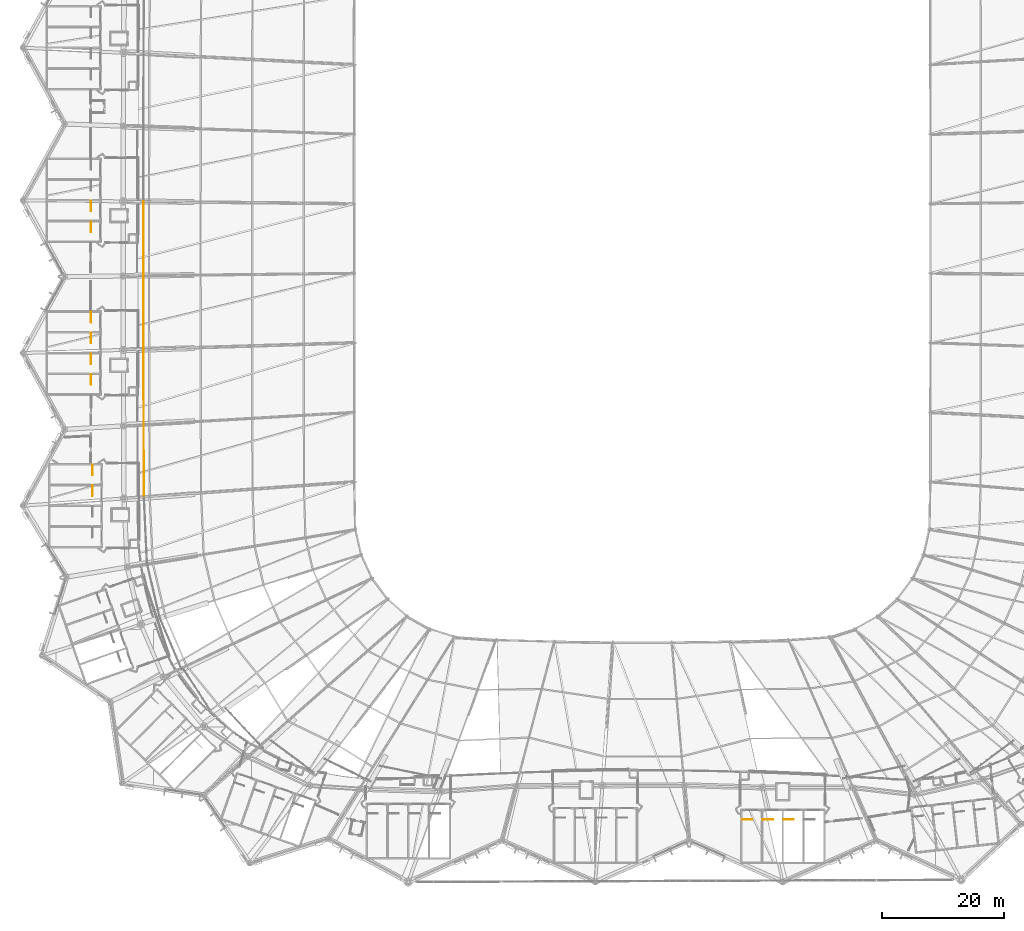
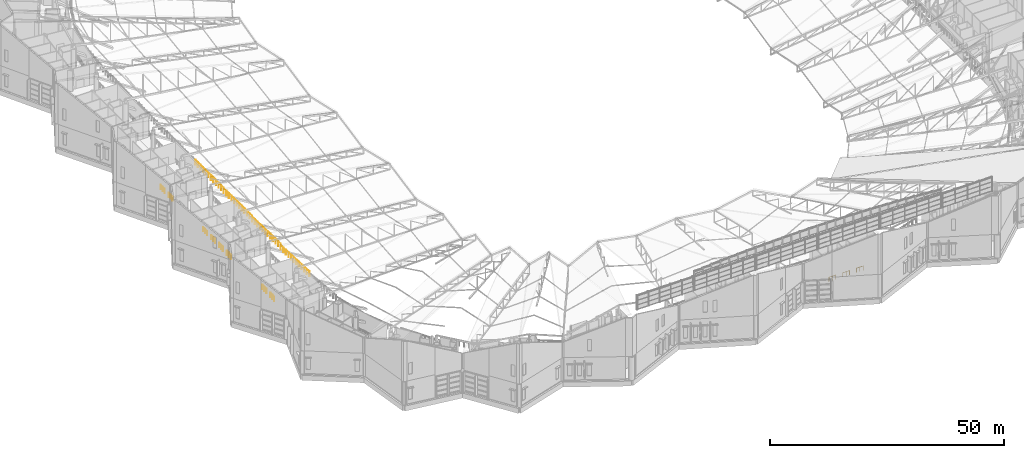
# One storey, part 339 of 344: 15 railings.
"""IFC4 building model written with IfcOpenShell, lengths in metres."""

from ifc_helpers import new_model, si_unit, direction, frame, origin, origin_2d, place, context, subcontext, project, spatial, circle, extrude, material, type_object, element, save


model = new_model("IFC4")

# Units and contexts
model_context = context("Model", 3, precision=1e-05, world=origin(), true_north=direction((0.0, 1.0)))
body_context = subcontext(model_context, "Body", "Model", "MODEL_VIEW")
ifc_project = project(units=[si_unit("LENGTHUNIT", "METRE"), si_unit("AREAUNIT", "SQUARE_METRE"), si_unit("VOLUMEUNIT", "CUBIC_METRE"), si_unit("PLANEANGLEUNIT", "RADIAN"), si_unit("MASSUNIT", "GRAM", prefix="KILO")], contexts=[model_context])

# Site, building, storey
site_placement = place(None, origin())
site = spatial("IfcSite", under=ifc_project, at=site_placement, CompositionType="ELEMENT")
building_placement = place(site_placement, origin())
building = spatial("IfcBuilding", under=site, at=building_placement, Name="Meseta Stadium", CompositionType="ELEMENT")
storey_placement = place(building_placement, frame((0.0, 0.0, 24.0)))
storey = spatial("IfcBuildingStorey", under=building, at=storey_placement, Name="L04", CompositionType="ELEMENT", Elevation=24.0)

# Railings
ifc_material_1 = material(Name="Steel S355", Category="steel")
railing_type_1 = type_object("IfcRailingType", Name="Stair guard 1100", PredefinedType="GUARDRAIL", material=ifc_material_1)
for number, where, name in (
    (1, (-90.25, 6.14990234375, 0.0), "ST67 L04 well guard 1"),
    (2, (-90.25, 2.75, 0.0), "ST68 L04 well guard 1"),
    (3, (-90.25, -12.050048828125, 0.0), "ST69 L04 well guard 1"),
    (4, (-90.25, -15.449951171875, 0.0), "ST70 L04 well guard 1"),
    (5, (-90.25, -18.85009765625, 0.0), "ST71 L04 well guard 1"),
    (6, (-90.25, -22.25, 0.0), "ST72 L04 well guard 1"),
    (7, (-90.050048828125, -37.050048828125, 0.0), "ST73 L04 well guard 1"),
    (8, (-90.050048828125, -40.449951171875, 0.0), "ST74 L04 well guard 1"),
):
    element("IfcRailing", number, at=place(storey_placement, frame(where)), inside=storey, type_object=railing_type_1, Name=name, PredefinedType="GUARDRAIL", context=body_context, shape_type="SweptSolid", body=[
        extrude(circle(Radius=0.02392578125, at=origin_2d()), frame((0.0, 0.0, 1.076171875), z_axis=(0.0, -1.0, 0.0), x_axis=(1.0, 0.0, 0.0)), (0.0, 0.0, 1.0), 1.699951171875),
        extrude(circle(Radius=0.02099609375, at=origin_2d()), origin(), (0.0, 0.0, 1.0), 1.052001953125),
        extrude(circle(Radius=0.02099609375, at=origin_2d()), frame((0.0, -0.85009765625, 0.0)), (0.0, 0.0, 1.0), 1.052001953125),
        extrude(circle(Radius=0.02099609375, at=origin_2d()), frame((0.0, -1.699951171875, 0.0)), (0.0, 0.0, 1.0), 1.052001953125),
    ])
for number, where, name in (
    (9, (16.300048828125, -95.14990234375, 0.0), "ST97 L04 well guard 1"),
    (10, (19.699951171875, -95.14990234375, 0.0), "ST98 L04 well guard 1"),
    (11, (23.10009765625, -95.14990234375, 0.0), "ST99 L04 well guard 1"),
):
    element("IfcRailing", number, at=place(storey_placement, frame(where)), inside=storey, type_object=railing_type_1, Name=name, PredefinedType="GUARDRAIL", context=body_context, shape_type="SweptSolid", body=[
        extrude(circle(Radius=0.02392578125, at=origin_2d()), frame((0.0, 0.0, 1.076171875), z_axis=(1.0, 0.0, 0.0), x_axis=(0.0, 1.0, 0.0)), (0.0, 0.0, 1.0), 1.699951171875),
        extrude(circle(Radius=0.02099609375, at=origin_2d()), origin(), (0.0, 0.0, 1.0), 1.052001953125),
        extrude(circle(Radius=0.02099609375, at=origin_2d()), frame((0.85009765625, 0.0, 0.0)), (0.0, 0.0, 1.0), 1.052001953125),
        extrude(circle(Radius=0.02099609375, at=origin_2d()), frame((1.699951171875, 0.0, 0.0)), (0.0, 0.0, 1.0), 1.052001953125),
    ])
ifc_material_2 = material(Name="Steel S355", Category="steel")
railing_type_2 = type_object("IfcRailingType", Name="Stand rear guard 1300", PredefinedType="GUARDRAIL", material=ifc_material_2)
railing_1_placement = place(storey_placement, frame((-81.697509765625, 6.0712890625, 3.4365234375)))
element("IfcRailing", 12, at=railing_1_placement, inside=storey, type_object=railing_type_2, Name="Stand upper tier rear guard bay 33", PredefinedType="GUARDRAIL", context=body_context, shape_type="SweptSolid", body=[
    extrude(circle(Radius=0.02490234375, at=origin_2d()), frame((0.0, 0.0, 1.27490234375), z_axis=(0.0, -1.0, 0.0), x_axis=(1.0, 0.0, 0.0)), (0.0, 0.0, 1.0), 12.142578125),
    extrude(circle(Radius=0.02001953125, at=origin_2d()), origin(), (0.0, 0.0, 1.0), 1.25),
    extrude(circle(Radius=0.02001953125, at=origin_2d()), frame((0.0, -1.103759765625, 0.0)), (0.0, 0.0, 1.0), 1.25),
    extrude(circle(Radius=0.02001953125, at=origin_2d()), frame((0.0, -2.207763671875, 0.0)), (0.0, 0.0, 1.0), 1.25),
    extrude(circle(Radius=0.02001953125, at=origin_2d()), frame((0.0, -3.3115234375, 0.0)), (0.0, 0.0, 1.0), 1.25),
    extrude(circle(Radius=0.02001953125, at=origin_2d()), frame((0.0, -4.41552734375, 0.0)), (0.0, 0.0, 1.0), 1.25),
    extrude(circle(Radius=0.02001953125, at=origin_2d()), frame((0.0, -5.519287109375, 0.0)), (0.0, 0.0, 1.0), 1.25),
    extrude(circle(Radius=0.02001953125, at=origin_2d()), frame((0.0, -6.623291015625, 0.0)), (0.0, 0.0, 1.0), 1.25),
    extrude(circle(Radius=0.02001953125, at=origin_2d()), frame((0.0, -7.72705078125, 0.0)), (0.0, 0.0, 1.0), 1.25),
    extrude(circle(Radius=0.02001953125, at=origin_2d()), frame((0.0, -8.8310546875, 0.0)), (0.0, 0.0, 1.0), 1.25),
    extrude(circle(Radius=0.02001953125, at=origin_2d()), frame((0.0, -9.934814453125, 0.0)), (0.0, 0.0, 1.0), 1.25),
    extrude(circle(Radius=0.02001953125, at=origin_2d()), frame((0.0, -11.038818359375, 0.0)), (0.0, 0.0, 1.0), 1.25),
    extrude(circle(Radius=0.02001953125, at=origin_2d()), frame((0.0, -12.142578125, 0.0)), (0.0, 0.0, 1.0), 1.25),
])
railing_2_placement = place(storey_placement, frame((-81.697509765625, -6.0712890625, 3.359375)))
element("IfcRailing", 13, at=railing_2_placement, inside=storey, type_object=railing_type_2, Name="Stand upper tier rear guard bay 34", PredefinedType="GUARDRAIL", context=body_context, shape_type="SweptSolid", body=[
    extrude(circle(Radius=0.02490234375, at=origin_2d()), frame((0.0, 0.0, 1.27490234375), z_axis=(0.00160845792, -0.999917971461, 0.012706817565), x_axis=(0.999998706222, 0.001608587789, 0.0)), (0.0, 0.0, 1.0), 12.142822265625),
    extrude(circle(Radius=0.02001953125, at=origin_2d()), origin(), (0.0, 0.0, 1.0), 1.25),
    extrude(circle(Radius=0.02001953125, at=origin_2d()), frame((0.001708984375, -1.103759765625, 0.013916015625)), (0.0, 0.0, 1.0), 1.25),
    extrude(circle(Radius=0.02001953125, at=origin_2d()), frame((0.003662109375, -2.20751953125, 0.028076171875)), (0.0, 0.0, 1.0), 1.25),
    extrude(circle(Radius=0.02001953125, at=origin_2d()), frame((0.00537109375, -3.3115234375, 0.0419921875)), (0.0, 0.0, 1.0), 1.25),
    extrude(circle(Radius=0.02001953125, at=origin_2d()), frame((0.007080078125, -4.415283203125, 0.05615234375)), (0.0, 0.0, 1.0), 1.25),
    extrude(circle(Radius=0.02001953125, at=origin_2d()), frame((0.0087890625, -5.51904296875, 0.070068359375)), (0.0, 0.0, 1.0), 1.25),
    extrude(circle(Radius=0.02001953125, at=origin_2d()), frame((0.0107421875, -6.622802734375, 0.084228515625)), (0.0, 0.0, 1.0), 1.25),
    extrude(circle(Radius=0.02001953125, at=origin_2d()), frame((0.012451171875, -7.7265625, 0.09814453125)), (0.0, 0.0, 1.0), 1.25),
    extrude(circle(Radius=0.02001953125, at=origin_2d()), frame((0.01416015625, -8.830322265625, 0.1123046875)), (0.0, 0.0, 1.0), 1.25),
    extrude(circle(Radius=0.02001953125, at=origin_2d()), frame((0.015869140625, -9.934326171875, 0.126220703125)), (0.0, 0.0, 1.0), 1.25),
    extrude(circle(Radius=0.02001953125, at=origin_2d()), frame((0.017822265625, -11.0380859375, 0.140380859375)), (0.0, 0.0, 1.0), 1.25),
    extrude(circle(Radius=0.02001953125, at=origin_2d()), frame((0.01953125, -12.141845703125, 0.154296875)), (0.0, 0.0, 1.0), 1.25),
])
railing_3_placement = place(storey_placement, frame((-81.677978515625, -18.213134765625, 3.282470703125)))
element("IfcRailing", 14, at=railing_3_placement, inside=storey, type_object=railing_type_2, Name="Stand upper tier rear guard bay 35", PredefinedType="GUARDRAIL", context=body_context, shape_type="SweptSolid", body=[
    extrude(circle(Radius=0.02490234375, at=origin_2d()), frame((0.0, 0.0, 1.27490234375), z_axis=(0.003216644897, -0.999672922015, 0.025371286628), x_axis=(0.999994823252, 0.003217680678, 0.0)), (0.0, 0.0, 1.0), 12.143798828125),
    extrude(circle(Radius=0.02001953125, at=origin_2d()), origin(), (0.0, 0.0, 1.0), 1.25),
    extrude(circle(Radius=0.02001953125, at=origin_2d()), frame((0.003662109375, -1.103515625, 0.028076171875)), (0.0, 0.0, 1.0), 1.25),
    extrude(circle(Radius=0.02001953125, at=origin_2d()), frame((0.007080078125, -2.207275390625, 0.055908203125)), (0.0, 0.0, 1.0), 1.25),
    extrude(circle(Radius=0.02001953125, at=origin_2d()), frame((0.0107421875, -3.310791015625, 0.083984375)), (0.0, 0.0, 1.0), 1.25),
    extrude(circle(Radius=0.02001953125, at=origin_2d()), frame((0.01416015625, -4.41455078125, 0.112060546875)), (0.0, 0.0, 1.0), 1.25),
    extrude(circle(Radius=0.02001953125, at=origin_2d()), frame((0.017822265625, -5.51806640625, 0.14013671875)), (0.0, 0.0, 1.0), 1.25),
    extrude(circle(Radius=0.02001953125, at=origin_2d()), frame((0.021240234375, -6.621826171875, 0.16796875)), (0.0, 0.0, 1.0), 1.25),
    extrude(circle(Radius=0.02001953125, at=origin_2d()), frame((0.02490234375, -7.725341796875, 0.196044921875)), (0.0, 0.0, 1.0), 1.25),
    extrude(circle(Radius=0.02001953125, at=origin_2d()), frame((0.0283203125, -8.8291015625, 0.22412109375)), (0.0, 0.0, 1.0), 1.25),
    extrude(circle(Radius=0.02001953125, at=origin_2d()), frame((0.031982421875, -9.9326171875, 0.252197265625)), (0.0, 0.0, 1.0), 1.25),
    extrude(circle(Radius=0.02001953125, at=origin_2d()), frame((0.035400390625, -11.036376953125, 0.280029296875)), (0.0, 0.0, 1.0), 1.25),
    extrude(circle(Radius=0.02001953125, at=origin_2d()), frame((0.0390625, -12.139892578125, 0.30810546875)), (0.0, 0.0, 1.0), 1.25),
])
railing_4_placement = place(storey_placement, frame((-81.638916015625, -30.35302734375, 3.205810546875)))
element("IfcRailing", 15, at=railing_4_placement, inside=storey, type_object=railing_type_2, Name="Stand upper tier rear guard bay 36", PredefinedType="GUARDRAIL", context=body_context, shape_type="SweptSolid", body=[
    extrude(circle(Radius=0.02490234375, at=origin_2d()), frame((0.0, 0.0, 1.27490234375), z_axis=(0.004804166005, -0.99926652903, 0.037991103554), x_axis=(0.999988443248, 0.004807636746, 0.0)), (0.0, 0.0, 1.0), 12.1455078125),
    extrude(circle(Radius=0.02001953125, at=origin_2d()), origin(), (0.0, 0.0, 1.0), 1.25),
    extrude(circle(Radius=0.02001953125, at=origin_2d()), frame((0.00537109375, -1.103271484375, 0.0419921875)), (0.0, 0.0, 1.0), 1.25),
    extrude(circle(Radius=0.02001953125, at=origin_2d()), frame((0.010498046875, -2.206787109375, 0.083984375)), (0.0, 0.0, 1.0), 1.25),
    extrude(circle(Radius=0.02001953125, at=origin_2d()), frame((0.015869140625, -3.31005859375, 0.125732421875)), (0.0, 0.0, 1.0), 1.25),
    extrude(circle(Radius=0.02001953125, at=origin_2d()), frame((0.021240234375, -4.413330078125, 0.167724609375)), (0.0, 0.0, 1.0), 1.25),
    extrude(circle(Radius=0.02001953125, at=origin_2d()), frame((0.026611328125, -5.5166015625, 0.209716796875)), (0.0, 0.0, 1.0), 1.25),
    extrude(circle(Radius=0.02001953125, at=origin_2d()), frame((0.03173828125, -6.6201171875, 0.251708984375)), (0.0, 0.0, 1.0), 1.25),
    extrude(circle(Radius=0.02001953125, at=origin_2d()), frame((0.037109375, -7.723388671875, 0.293701171875)), (0.0, 0.0, 1.0), 1.25),
    extrude(circle(Radius=0.02001953125, at=origin_2d()), frame((0.04248046875, -8.82666015625, 0.335693359375)), (0.0, 0.0, 1.0), 1.25),
    extrude(circle(Radius=0.02001953125, at=origin_2d()), frame((0.0478515625, -9.929931640625, 0.37744140625)), (0.0, 0.0, 1.0), 1.25),
    extrude(circle(Radius=0.02001953125, at=origin_2d()), frame((0.052978515625, -11.033447265625, 0.41943359375)), (0.0, 0.0, 1.0), 1.25),
    extrude(circle(Radius=0.02001953125, at=origin_2d()), frame((0.058349609375, -12.13671875, 0.46142578125)), (0.0, 0.0, 1.0), 1.25),
])

save(model, "model.ifc")
